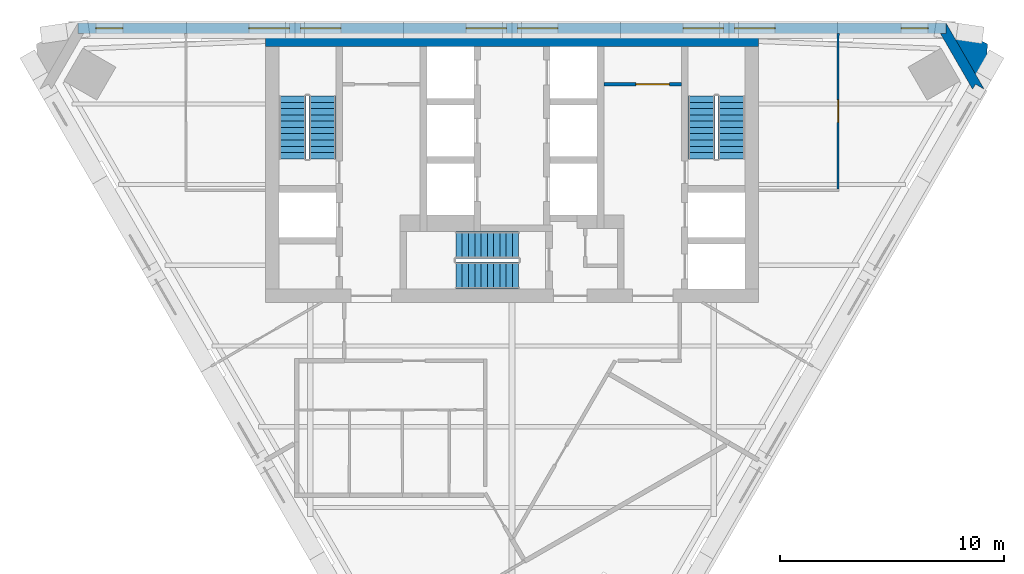
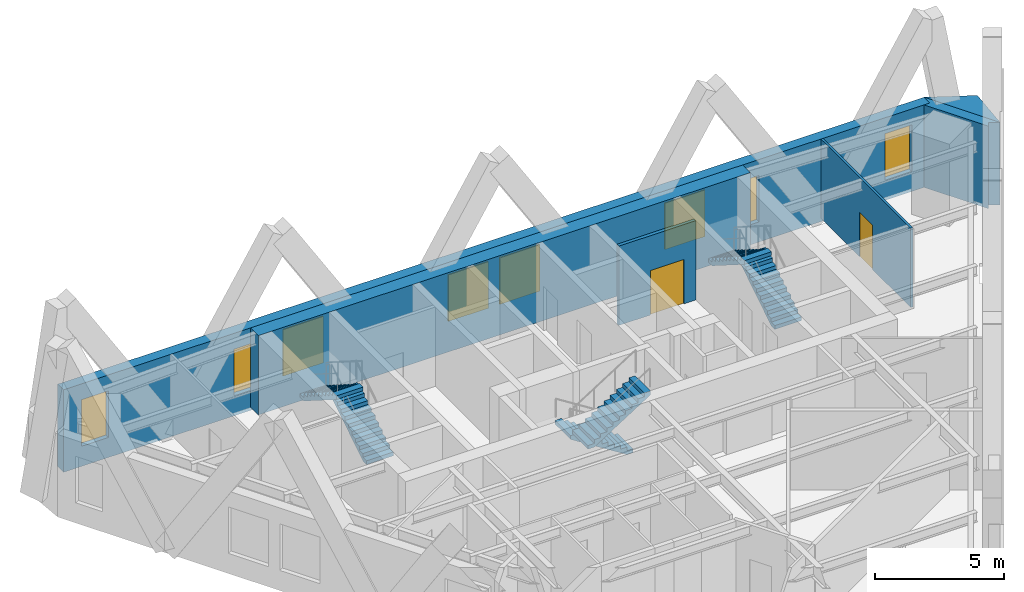
# One storey, part 7 of 10: 8 windows, 6 stair flights, 6 walls, 2 doors, 10 openings, 3 elements without a shape of their own.
"""IFC4 building model written with IfcOpenShell, lengths in metres."""

from ifc_helpers import new_model, si_unit, direction, frame, frame_2d, origin, place, context, subcontext, project, spatial, polyline, rectangle, outline, extrude, material, layer, layer_set, type_object, element, fill, aggregate, save


model = new_model("IFC4")

# Units and contexts
model_context = context("Model", 3, precision=1e-05, world=origin(), true_north=direction((0.0, 1.0)))
body_context = subcontext(model_context, "Body", "Model", "MODEL_VIEW")
ifc_project = project(units=[si_unit("LENGTHUNIT", "METRE"), si_unit("AREAUNIT", "SQUARE_METRE"), si_unit("VOLUMEUNIT", "CUBIC_METRE"), si_unit("PLANEANGLEUNIT", "RADIAN"), si_unit("MASSUNIT", "GRAM", prefix="KILO")], contexts=[model_context])

# Site, building, storey
site_placement = place(None, origin())
site = spatial("IfcSite", under=ifc_project, at=site_placement, CompositionType="ELEMENT")
building_placement = place(site_placement, origin())
building = spatial("IfcBuilding", under=site, at=building_placement, Name="Aloe Facet Convention Tower", CompositionType="ELEMENT")
storey_placement = place(building_placement, frame((0.0, 0.0, 219.199951171875)))
storey = spatial("IfcBuildingStorey", under=building, at=storey_placement, Name="L55", CompositionType="ELEMENT", Elevation=219.199951171875)

# Wall, opening, door
ifc_material_1 = material(Name="Concrete blockwork partition", Category="masonry")
ifc_layer_1 = layer(ifc_material_1, 0.14990234375)
ifc_layer_set_1 = layer_set([ifc_layer_1], Name="CR-W-PART150")
wall_type_1 = type_object("IfcWallType", Name="CR-W-PART150", PredefinedType="PARTITIONING", material=ifc_layer_set_1)
wall_1_placement = place(storey_placement, frame((84.10009765625, 132.27490234375, 0.0), z_axis=(0.0, 0.0, 1.0), x_axis=(1.0, 0.0, 0.0)))
wall_1 = element("IfcWall", 1, at=wall_1_placement, inside=storey, type_object=wall_type_1, Name="Core partition L55-025", PredefinedType="PARTITIONING", context=body_context, shape_type="SweptSolid", body=[
    extrude(rectangle(XDim=3.449951171875, YDim=0.14990234375, at=frame_2d((1.72509765625, 0.0))), origin(), (0.0, 0.0, 1.0), 3.75),
])
opening_1_placement = place(wall_1_placement, frame((1.425048828125, 0.0, 0.0)))
opening_1 = element("IfcOpeningElement", 2, at=opening_1_placement, cuts=wall_1, Name="Opening L55-CD13", PredefinedType="OPENING", context=body_context, shape_type="SweptSolid", body=[
    extrude(rectangle(XDim=1.5, YDim=2.10009765625, at=frame_2d((0.75, 1.050048828125))), frame((0.0, 0.0849609375, 0.0), z_axis=(0.0, -1.0, 0.0), x_axis=(1.0, 0.0, 0.0)), (0.0, 0.0, 1.0), 0.169921875),
])
ifc_material_2 = material(Name="Steel fire-resisting door set FD60", Category="steel")
door_type_1 = type_object("IfcDoorType", Name="CR-D-REFUGE-1500-FD60-DD", OperationType="DOUBLE_DOOR_DOUBLE_SWING", PredefinedType="DOOR", material=ifc_material_2)
door_1_placement = place(opening_1_placement, origin())
door_1 = element("IfcDoor", 3, at=door_1_placement, inside=storey, type_object=door_type_1, Name="Core door L55-CD13", OperationType="DOUBLE_DOOR_DOUBLE_SWING", OverallHeight=2.10009765625, OverallWidth=1.5, PredefinedType="DOOR", context=body_context, shape_type="SweptSolid", body=[
    extrude(rectangle(XDim=1.5, YDim=2.10009765625, at=frame_2d((0.75, 1.050048828125))), frame((0.0, 0.02490234375, 0.0), z_axis=(0.0, -1.0, 0.0), x_axis=(1.0, 0.0, 0.0)), (0.0, 0.0, 1.0), 0.050048828125),
])
fill(opening_1, door_1)

# Walls
ifc_material_3 = material(Name="Concrete C50/60", Category="concrete")
ifc_layer_2 = layer(ifc_material_3, 0.60009765625)
ifc_layer_set_2 = layer_set([ifc_layer_2], Name="CR-W-RC600-C5060")
wall_type_2 = type_object("IfcWallType", Name="CR-W-RC600-C5060", PredefinedType="SOLIDWALL", material=ifc_layer_set_2)
wall_2_placement = place(storey_placement, frame((69.0, 134.25, 0.0), z_axis=(0.0, 0.0, 1.0), x_axis=(1.0, 0.0, 0.0)))
element("IfcWall", 4, at=wall_2_placement, inside=storey, type_object=wall_type_2, Name="Core wall L55-001", PredefinedType="SOLIDWALL", context=body_context, shape_type="SweptSolid", body=[
    extrude(rectangle(XDim=22.0, YDim=0.60009765625, at=frame_2d((11.0, 0.0))), origin(), (0.0, 0.0, 1.0), 3.75),
])
ifc_material_4 = material(Name="Precast concrete C40/50", Category="concrete")
ifc_layer_3 = layer(ifc_material_4, 0.449951171875)
ifc_layer_set_3 = layer_set([ifc_layer_3], Name="EV-WALL-PIER")
wall_type_3 = type_object("IfcWallType", Name="EV-WALL-PIER", PredefinedType="SOLIDWALL", material=ifc_layer_set_3)
wall_3_placement = place(storey_placement, frame((0.0, 0.0, -0.14990234375)))
element("IfcWall", 5, at=wall_3_placement, inside=storey, type_object=wall_type_3, Name="EP-L55-C", PredefinedType="SOLIDWALL", context=body_context, shape_type="SweptSolid", body=[
    extrude(outline(polyline([(101.064697265625, 132.055419921875), (100.6748046875, 132.280517578125), (100.544921875, 132.055419921875), (99.104736328125, 134.550048828125), (99.364501953125, 134.550048828125), (99.364501953125, 135.0), (101.064697265625, 132.055419921875)])), origin(), (0.0, 0.0, 1.0), 3.89990234375),
])
ifc_material_5 = material(Name="Precast concrete C40/50", Category="concrete")
ifc_layer_4 = layer(ifc_material_5, 3.947998046875)
ifc_layer_set_4 = layer_set([ifc_layer_4], Name="EV-WALL-SPINE")
wall_type_4 = type_object("IfcWallType", Name="EV-WALL-SPINE", PredefinedType="SOLIDWALL", material=ifc_layer_set_4)
wall_4_placement = place(storey_placement, frame((0.0, 0.0, -0.14990234375)))
element("IfcWall", 6, at=wall_4_placement, inside=storey, type_object=wall_type_4, Name="SP-NE-L55", PredefinedType="SOLIDWALL", context=body_context, shape_type="SweptSolid", body=[
    extrude(outline(polyline([(101.064697265625, 132.055419921875), (101.214111328125, 134.07177734375), (99.364501953125, 135.0), (101.064697265625, 132.055419921875)])), origin(), (0.0, 0.0, 1.0), 3.89990234375),
])

# Wall, openings, windows
ifc_material_6 = material(Name="Precast concrete C40/50", Category="concrete")
ifc_layer_5 = layer(ifc_material_6, 0.449951171875)
ifc_layer_set_5 = layer_set([ifc_layer_5], Name="EV-WALL-STONE")
wall_type_5 = type_object("IfcWallType", Name="EV-WALL-STONE", PredefinedType="SOLIDWALL", material=ifc_layer_set_5)
wall_5_placement = place(storey_placement, frame((99.364501953125, 134.77490234375, -0.14990234375), z_axis=(0.0, 0.0, 1.0), x_axis=(-1.0, 0.0, 0.0)))
wall_5 = element("IfcWall", 7, at=wall_5_placement, inside=storey, type_object=wall_type_5, Name="EW-L55-N01", PredefinedType="SOLIDWALL", context=body_context, shape_type="SweptSolid", body=[
    extrude(outline(polyline([(38.729248046875, 0.0), (38.729248046875, 3.89990234375), (0.0, 3.89990234375), (0.0, 0.0), (38.729248046875, 0.0)])), frame((0.0, 0.22509765625, 0.0), z_axis=(0.0, -1.0, 0.0), x_axis=(1.0, 0.0, 0.0)), (0.0, 0.0, 1.0), 0.449951171875),
])
opening_2_placement = place(wall_5_placement, frame((0.80712890625, 0.0, 0.949951171875)))
opening_2 = element("IfcOpeningElement", 8, at=opening_2_placement, cuts=wall_5, Name="Opening W-L55-N01", PredefinedType="OPENING", context=body_context, shape_type="SweptSolid", body=[
    extrude(rectangle(XDim=1.199951171875, YDim=2.199951171875, at=frame_2d((0.60009765625, 1.10009765625))), frame((0.0, 0.23486328125, 0.0), z_axis=(0.0, -1.0, 0.0), x_axis=(1.0, 0.0, 0.0)), (0.0, 0.0, 1.0), 0.469970703125),
])
opening_3_placement = place(wall_5_placement, frame((7.63232421875, 0.0, 0.949951171875)))
opening_3 = element("IfcOpeningElement", 9, at=opening_3_placement, cuts=wall_5, Name="Opening W-L55-N02", PredefinedType="OPENING", context=body_context, shape_type="SweptSolid", body=[
    extrude(rectangle(XDim=1.800048828125, YDim=2.199951171875, at=frame_2d((0.89990234375, 1.10009765625))), frame((0.0, 0.23486328125, 0.0), z_axis=(0.0, -1.0, 0.0), x_axis=(1.0, 0.0, 0.0)), (0.0, 0.0, 1.0), 0.469970703125),
])
opening_4_placement = place(wall_5_placement, frame((9.932373046875, 0.0, 0.949951171875)))
opening_4 = element("IfcOpeningElement", 10, at=opening_4_placement, cuts=wall_5, Name="Opening W-L55-N03", PredefinedType="OPENING", context=body_context, shape_type="SweptSolid", body=[
    extrude(rectangle(XDim=1.800048828125, YDim=2.199951171875, at=frame_2d((0.89990234375, 1.10009765625))), frame((0.0, 0.23486328125, 0.0), z_axis=(0.0, -1.0, 0.0), x_axis=(1.0, 0.0, 0.0)), (0.0, 0.0, 1.0), 0.469970703125),
])
opening_5_placement = place(wall_5_placement, frame((17.314697265625, 0.0, 0.949951171875)))
opening_5 = element("IfcOpeningElement", 11, at=opening_5_placement, cuts=wall_5, Name="Opening W-L55-N04", PredefinedType="OPENING", context=body_context, shape_type="SweptSolid", body=[
    extrude(rectangle(XDim=1.800048828125, YDim=2.199951171875, at=frame_2d((0.89990234375, 1.10009765625))), frame((0.0, 0.23486328125, 0.0), z_axis=(0.0, -1.0, 0.0), x_axis=(1.0, 0.0, 0.0)), (0.0, 0.0, 1.0), 0.469970703125),
])
opening_6_placement = place(wall_5_placement, frame((19.614501953125, 0.0, 0.949951171875)))
opening_6 = element("IfcOpeningElement", 12, at=opening_6_placement, cuts=wall_5, Name="Opening W-L55-N05", PredefinedType="OPENING", context=body_context, shape_type="SweptSolid", body=[
    extrude(rectangle(XDim=1.800048828125, YDim=2.199951171875, at=frame_2d((0.89990234375, 1.10009765625))), frame((0.0, 0.23486328125, 0.0), z_axis=(0.0, -1.0, 0.0), x_axis=(1.0, 0.0, 0.0)), (0.0, 0.0, 1.0), 0.469970703125),
])
opening_7_placement = place(wall_5_placement, frame((26.996826171875, 0.0, 0.949951171875)))
opening_7 = element("IfcOpeningElement", 13, at=opening_7_placement, cuts=wall_5, Name="Opening W-L55-N06", PredefinedType="OPENING", context=body_context, shape_type="SweptSolid", body=[
    extrude(rectangle(XDim=1.800048828125, YDim=2.199951171875, at=frame_2d((0.89990234375, 1.10009765625))), frame((0.0, 0.23486328125, 0.0), z_axis=(0.0, -1.0, 0.0), x_axis=(1.0, 0.0, 0.0)), (0.0, 0.0, 1.0), 0.469970703125),
])
opening_8_placement = place(wall_5_placement, frame((29.296875, 0.0, 0.949951171875)))
opening_8 = element("IfcOpeningElement", 14, at=opening_8_placement, cuts=wall_5, Name="Opening W-L55-N07", PredefinedType="OPENING", context=body_context, shape_type="SweptSolid", body=[
    extrude(rectangle(XDim=1.800048828125, YDim=2.199951171875, at=frame_2d((0.89990234375, 1.10009765625))), frame((0.0, 0.23486328125, 0.0), z_axis=(0.0, -1.0, 0.0), x_axis=(1.0, 0.0, 0.0)), (0.0, 0.0, 1.0), 0.469970703125),
])
opening_9_placement = place(wall_5_placement, frame((36.72216796875, 0.0, 0.949951171875)))
opening_9 = element("IfcOpeningElement", 15, at=opening_9_placement, cuts=wall_5, Name="Opening W-L55-N08", PredefinedType="OPENING", context=body_context, shape_type="SweptSolid", body=[
    extrude(rectangle(XDim=1.199951171875, YDim=2.199951171875, at=frame_2d((0.60009765625, 1.10009765625))), frame((0.0, 0.23486328125, 0.0), z_axis=(0.0, -1.0, 0.0), x_axis=(1.0, 0.0, 0.0)), (0.0, 0.0, 1.0), 0.469970703125),
])
ifc_material_7 = material(Name="Aluminium frame, clear double glazing", Category="aluminium")
window_type_1 = type_object("IfcWindowType", Name="EV-WIN-O12", PartitioningType="SINGLE_PANEL", PredefinedType="WINDOW", material=ifc_material_7)
window_1_placement = place(opening_2_placement, origin())
window_1 = element("IfcWindow", 16, at=window_1_placement, inside=storey, type_object=window_type_1, Name="W-L55-N01", OverallHeight=2.199951171875, OverallWidth=1.199951171875, PartitioningType="SINGLE_PANEL", PredefinedType="WINDOW", context=body_context, shape_type="SweptSolid", body=[
    extrude(rectangle(XDim=1.199951171875, YDim=2.199951171875, at=frame_2d((0.60009765625, 1.10009765625))), frame((0.0, 0.030029296875, 0.0), z_axis=(0.0, -1.0, 0.0), x_axis=(1.0, 0.0, 0.0)), (0.0, 0.0, 1.0), 0.06005859375),
])
fill(opening_2, window_1)
window_2_placement = place(opening_9_placement, origin())
window_2 = element("IfcWindow", 17, at=window_2_placement, inside=storey, type_object=window_type_1, Name="W-L55-N08", OverallHeight=2.199951171875, OverallWidth=1.199951171875, PartitioningType="SINGLE_PANEL", PredefinedType="WINDOW", context=body_context, shape_type="SweptSolid", body=[
    extrude(rectangle(XDim=1.199951171875, YDim=2.199951171875, at=frame_2d((0.60009765625, 1.10009765625))), frame((0.0, 0.030029296875, 0.0), z_axis=(0.0, -1.0, 0.0), x_axis=(1.0, 0.0, 0.0)), (0.0, 0.0, 1.0), 0.06005859375),
])
fill(opening_9, window_2)
ifc_material_8 = material(Name="Aluminium frame, clear double glazing", Category="aluminium")
window_type_2 = type_object("IfcWindowType", Name="EV-WIN-O18", PartitioningType="SINGLE_PANEL", PredefinedType="WINDOW", material=ifc_material_8)
window_3_placement = place(opening_3_placement, origin())
window_3 = element("IfcWindow", 18, at=window_3_placement, inside=storey, type_object=window_type_2, Name="W-L55-N02", OverallHeight=2.199951171875, OverallWidth=1.800048828125, PartitioningType="SINGLE_PANEL", PredefinedType="WINDOW", context=body_context, shape_type="SweptSolid", body=[
    extrude(rectangle(XDim=1.800048828125, YDim=2.199951171875, at=frame_2d((0.89990234375, 1.10009765625))), frame((0.0, 0.030029296875, 0.0), z_axis=(0.0, -1.0, 0.0), x_axis=(1.0, 0.0, 0.0)), (0.0, 0.0, 1.0), 0.06005859375),
])
fill(opening_3, window_3)
window_4_placement = place(opening_4_placement, origin())
window_4 = element("IfcWindow", 19, at=window_4_placement, inside=storey, type_object=window_type_2, Name="W-L55-N03", OverallHeight=2.199951171875, OverallWidth=1.800048828125, PartitioningType="SINGLE_PANEL", PredefinedType="WINDOW", context=body_context, shape_type="SweptSolid", body=[
    extrude(rectangle(XDim=1.800048828125, YDim=2.199951171875, at=frame_2d((0.89990234375, 1.10009765625))), frame((0.0, 0.030029296875, 0.0), z_axis=(0.0, -1.0, 0.0), x_axis=(1.0, 0.0, 0.0)), (0.0, 0.0, 1.0), 0.06005859375),
])
fill(opening_4, window_4)
window_5_placement = place(opening_5_placement, origin())
window_5 = element("IfcWindow", 20, at=window_5_placement, inside=storey, type_object=window_type_2, Name="W-L55-N04", OverallHeight=2.199951171875, OverallWidth=1.800048828125, PartitioningType="SINGLE_PANEL", PredefinedType="WINDOW", context=body_context, shape_type="SweptSolid", body=[
    extrude(rectangle(XDim=1.800048828125, YDim=2.199951171875, at=frame_2d((0.89990234375, 1.10009765625))), frame((0.0, 0.030029296875, 0.0), z_axis=(0.0, -1.0, 0.0), x_axis=(1.0, 0.0, 0.0)), (0.0, 0.0, 1.0), 0.06005859375),
])
fill(opening_5, window_5)
window_6_placement = place(opening_6_placement, origin())
window_6 = element("IfcWindow", 21, at=window_6_placement, inside=storey, type_object=window_type_2, Name="W-L55-N05", OverallHeight=2.199951171875, OverallWidth=1.800048828125, PartitioningType="SINGLE_PANEL", PredefinedType="WINDOW", context=body_context, shape_type="SweptSolid", body=[
    extrude(rectangle(XDim=1.800048828125, YDim=2.199951171875, at=frame_2d((0.89990234375, 1.10009765625))), frame((0.0, 0.030029296875, 0.0), z_axis=(0.0, -1.0, 0.0), x_axis=(1.0, 0.0, 0.0)), (0.0, 0.0, 1.0), 0.06005859375),
])
fill(opening_6, window_6)
window_7_placement = place(opening_7_placement, origin())
window_7 = element("IfcWindow", 22, at=window_7_placement, inside=storey, type_object=window_type_2, Name="W-L55-N06", OverallHeight=2.199951171875, OverallWidth=1.800048828125, PartitioningType="SINGLE_PANEL", PredefinedType="WINDOW", context=body_context, shape_type="SweptSolid", body=[
    extrude(rectangle(XDim=1.800048828125, YDim=2.199951171875, at=frame_2d((0.89990234375, 1.10009765625))), frame((0.0, 0.030029296875, 0.0), z_axis=(0.0, -1.0, 0.0), x_axis=(1.0, 0.0, 0.0)), (0.0, 0.0, 1.0), 0.06005859375),
])
fill(opening_7, window_7)
window_8_placement = place(opening_8_placement, origin())
window_8 = element("IfcWindow", 23, at=window_8_placement, inside=storey, type_object=window_type_2, Name="W-L55-N07", OverallHeight=2.199951171875, OverallWidth=1.800048828125, PartitioningType="SINGLE_PANEL", PredefinedType="WINDOW", context=body_context, shape_type="SweptSolid", body=[
    extrude(rectangle(XDim=1.800048828125, YDim=2.199951171875, at=frame_2d((0.89990234375, 1.10009765625))), frame((0.0, 0.030029296875, 0.0), z_axis=(0.0, -1.0, 0.0), x_axis=(1.0, 0.0, 0.0)), (0.0, 0.0, 1.0), 0.06005859375),
])
fill(opening_8, window_8)

# Wall, opening, door
ifc_material_9 = material(Name="Gypsum board partition on steel studs", Category="steel")
ifc_layer_6 = layer(ifc_material_9, 0.10009765625)
ifc_layer_set_6 = layer_set([ifc_layer_6], Name="IN-W-PART")
wall_type_6 = type_object("IfcWallType", Name="IN-W-PART", PredefinedType="PARTITIONING", material=ifc_layer_set_6)
wall_6_placement = place(storey_placement, frame((94.54443359375, 127.60009765625, 0.0), z_axis=(0.0, 0.0, 1.0), x_axis=(0.000491814737, 0.999999879059, 0.0)))
wall_6 = element("IfcWall", 24, at=wall_6_placement, inside=storey, type_object=wall_type_6, Name="Partition L55-W037", PredefinedType="PARTITIONING", context=body_context, shape_type="SweptSolid", body=[
    extrude(rectangle(XDim=6.94970703125, YDim=0.10009765625, at=frame_2d((3.474853515625, 0.0))), origin(), (0.0, 0.0, 1.0), 3.75),
])
opening_10_placement = place(wall_6_placement, frame((2.974853515625, 0.0, 0.0)))
opening_10 = element("IfcOpeningElement", 25, at=opening_10_placement, cuts=wall_6, Name="Opening L55-006", PredefinedType="OPENING", context=body_context, shape_type="SweptSolid", body=[
    extrude(rectangle(XDim=1.0, YDim=2.10009765625, at=frame_2d((0.5, 1.050048828125))), frame((0.0, 0.06005859375, 0.0), z_axis=(0.0, -1.0, 0.0), x_axis=(1.0, 0.0, 0.0)), (0.0, 0.0, 1.0), 0.1201171875),
])
ifc_material_10 = material(Name="Timber door", Category="wood")
door_type_2 = type_object("IfcDoorType", Name="IN-OFF-D-WIDE", OperationType="SINGLE_SWING_LEFT", PredefinedType="DOOR", material=ifc_material_10)
door_2_placement = place(opening_10_placement, origin())
door_2 = element("IfcDoor", 26, at=door_2_placement, inside=storey, type_object=door_type_2, Name="Door L55-006", OperationType="SINGLE_SWING_LEFT", OverallHeight=2.10009765625, OverallWidth=1.0, PredefinedType="DOOR", context=body_context, shape_type="SweptSolid", body=[
    extrude(rectangle(XDim=1.0, YDim=2.10009765625, at=frame_2d((0.5, 1.050048828125))), frame((0.0, 0.02490234375, 0.0), z_axis=(0.0, -1.0, 0.0), x_axis=(1.0, 0.0, 0.0)), (0.0, 0.0, 1.0), 0.050048828125),
])
fill(opening_10, door_2)

# Stair, stair flights
ifc_material_11 = material(Name="Concrete C50/60", Category="concrete")
stair_type = type_object("IfcStairType", Name="CR-ST-22R", PredefinedType="HALF_TURN_STAIR", material=ifc_material_11)
stair_1_placement = place(storey_placement, origin())
stair_1 = element("IfcStair", 27, at=stair_1_placement, inside=storey, type_object=stair_type, Name="L55 Protected exit stair ST1", PredefinedType="HALF_TURN_STAIR")
ifc_material_12 = material(Name="Concrete C50/60", Category="concrete")
stair_flight_type = type_object("IfcStairFlightType", Name="CR-SFL-22R", PredefinedType="STRAIGHT", material=ifc_material_12)
stair_flight_1_placement = place(storey_placement, frame((71.550048828125, 128.949951171875, 0.0), z_axis=(0.0, 0.0, 1.0), x_axis=(0.0, 1.0, 0.0)))
stair_flight_1 = element("IfcStairFlight", 28, at=stair_flight_1_placement, type_object=stair_flight_type, Name="ST1 flight 1", NumberOfRisers=11, NumberOfTreads=10, PredefinedType="STRAIGHT", RiserHeight=0.177272727, TreadLength=0.28, context=body_context, shape_type="SweptSolid", body=[
    extrude(outline(polyline([(0.0, 0.0), (0.0, 0.17724609375), (0.280029296875, 0.17724609375), (0.280029296875, 0.3544921875), (0.56005859375, 0.3544921875), (0.56005859375, 0.53173828125), (0.840087890625, 0.53173828125), (0.840087890625, 0.708984375), (1.1201171875, 0.708984375), (1.1201171875, 0.886474609375), (1.39990234375, 0.886474609375), (1.39990234375, 1.063720703125), (1.679931640625, 1.063720703125), (1.679931640625, 1.240966796875), (1.9599609375, 1.240966796875), (1.9599609375, 1.418212890625), (2.239990234375, 1.418212890625), (2.239990234375, 1.595458984375), (2.52001953125, 1.595458984375), (2.52001953125, 1.772705078125), (2.800048828125, 1.772705078125), (2.800048828125, 1.949951171875), (2.800048828125, 1.59521484375), (0.2802734375, 0.0), (0.0, 0.0)])), frame((0.0, 0.60009765625, 0.0), z_axis=(0.0, -1.0, 0.0), x_axis=(1.0, 0.0, 0.0)), (0.0, 0.0, 1.0), 1.199951171875),
])
stair_flight_2_placement = place(storey_placement, frame((70.199951171875, 131.75, 1.949951171875), z_axis=(0.0, 0.0, 1.0), x_axis=(0.0, -1.0, 0.0)))
stair_flight_2 = element("IfcStairFlight", 29, at=stair_flight_2_placement, type_object=stair_flight_type, Name="ST1 flight 2", NumberOfRisers=11, NumberOfTreads=10, PredefinedType="STRAIGHT", RiserHeight=0.177272727, TreadLength=0.28, context=body_context, shape_type="SweptSolid", body=[
    extrude(outline(polyline([(0.0, 0.0), (0.0, 0.17724609375), (0.280029296875, 0.17724609375), (0.280029296875, 0.3544921875), (0.56005859375, 0.3544921875), (0.56005859375, 0.53173828125), (0.840087890625, 0.53173828125), (0.840087890625, 0.708984375), (1.1201171875, 0.708984375), (1.1201171875, 0.886474609375), (1.39990234375, 0.886474609375), (1.39990234375, 1.063720703125), (1.679931640625, 1.063720703125), (1.679931640625, 1.240966796875), (1.9599609375, 1.240966796875), (1.9599609375, 1.418212890625), (2.239990234375, 1.418212890625), (2.239990234375, 1.595458984375), (2.52001953125, 1.595458984375), (2.52001953125, 1.772705078125), (2.800048828125, 1.772705078125), (2.800048828125, 1.949951171875), (2.800048828125, 1.59521484375), (0.2802734375, 0.0), (0.0, 0.0)])), frame((0.0, 0.60009765625, 0.0), z_axis=(0.0, -1.0, 0.0), x_axis=(1.0, 0.0, 0.0)), (0.0, 0.0, 1.0), 1.199951171875),
])
aggregate(stair_1, [stair_flight_1, stair_flight_2])

stair_2_placement = place(storey_placement, origin())
stair_2 = element("IfcStair", 30, at=stair_2_placement, inside=storey, type_object=stair_type, Name="L55 Protected exit stair ST2", PredefinedType="HALF_TURN_STAIR")
stair_flight_3_placement = place(storey_placement, frame((89.800048828125, 128.949951171875, 0.0), z_axis=(0.0, 0.0, 1.0), x_axis=(0.0, 1.0, 0.0)))
stair_flight_3 = element("IfcStairFlight", 31, at=stair_flight_3_placement, type_object=stair_flight_type, Name="ST2 flight 1", NumberOfRisers=11, NumberOfTreads=10, PredefinedType="STRAIGHT", RiserHeight=0.177272727, TreadLength=0.28, context=body_context, shape_type="SweptSolid", body=[
    extrude(outline(polyline([(0.0, 0.0), (0.0, 0.17724609375), (0.280029296875, 0.17724609375), (0.280029296875, 0.3544921875), (0.56005859375, 0.3544921875), (0.56005859375, 0.53173828125), (0.840087890625, 0.53173828125), (0.840087890625, 0.708984375), (1.1201171875, 0.708984375), (1.1201171875, 0.886474609375), (1.39990234375, 0.886474609375), (1.39990234375, 1.063720703125), (1.679931640625, 1.063720703125), (1.679931640625, 1.240966796875), (1.9599609375, 1.240966796875), (1.9599609375, 1.418212890625), (2.239990234375, 1.418212890625), (2.239990234375, 1.595458984375), (2.52001953125, 1.595458984375), (2.52001953125, 1.772705078125), (2.800048828125, 1.772705078125), (2.800048828125, 1.949951171875), (2.800048828125, 1.59521484375), (0.2802734375, 0.0), (0.0, 0.0)])), frame((0.0, 0.60009765625, 0.0), z_axis=(0.0, -1.0, 0.0), x_axis=(1.0, 0.0, 0.0)), (0.0, 0.0, 1.0), 1.199951171875),
])
stair_flight_4_placement = place(storey_placement, frame((88.449951171875, 131.75, 1.949951171875), z_axis=(0.0, 0.0, 1.0), x_axis=(0.0, -1.0, 0.0)))
stair_flight_4 = element("IfcStairFlight", 32, at=stair_flight_4_placement, type_object=stair_flight_type, Name="ST2 flight 2", NumberOfRisers=11, NumberOfTreads=10, PredefinedType="STRAIGHT", RiserHeight=0.177272727, TreadLength=0.28, context=body_context, shape_type="SweptSolid", body=[
    extrude(outline(polyline([(0.0, 0.0), (0.0, 0.17724609375), (0.280029296875, 0.17724609375), (0.280029296875, 0.3544921875), (0.56005859375, 0.3544921875), (0.56005859375, 0.53173828125), (0.840087890625, 0.53173828125), (0.840087890625, 0.708984375), (1.1201171875, 0.708984375), (1.1201171875, 0.886474609375), (1.39990234375, 0.886474609375), (1.39990234375, 1.063720703125), (1.679931640625, 1.063720703125), (1.679931640625, 1.240966796875), (1.9599609375, 1.240966796875), (1.9599609375, 1.418212890625), (2.239990234375, 1.418212890625), (2.239990234375, 1.595458984375), (2.52001953125, 1.595458984375), (2.52001953125, 1.772705078125), (2.800048828125, 1.772705078125), (2.800048828125, 1.949951171875), (2.800048828125, 1.59521484375), (0.2802734375, 0.0), (0.0, 0.0)])), frame((0.0, 0.60009765625, 0.0), z_axis=(0.0, -1.0, 0.0), x_axis=(1.0, 0.0, 0.0)), (0.0, 0.0, 1.0), 1.199951171875),
])
aggregate(stair_2, [stair_flight_3, stair_flight_4])

stair_3_placement = place(storey_placement, origin())
stair_3 = element("IfcStair", 33, at=stair_3_placement, inside=storey, type_object=stair_type, Name="L55 Protected exit stair ST3", PredefinedType="HALF_TURN_STAIR")
stair_flight_5_placement = place(storey_placement, frame((80.300048828125, 125.10009765625, 0.0), z_axis=(0.0, 0.0, 1.0), x_axis=(-1.0, 0.0, 0.0)))
stair_flight_5 = element("IfcStairFlight", 34, at=stair_flight_5_placement, type_object=stair_flight_type, Name="ST3 flight 1", NumberOfRisers=11, NumberOfTreads=10, PredefinedType="STRAIGHT", RiserHeight=0.177272727, TreadLength=0.28, context=body_context, shape_type="SweptSolid", body=[
    extrude(outline(polyline([(0.0, 0.0), (0.0, 0.17724609375), (0.280029296875, 0.17724609375), (0.280029296875, 0.3544921875), (0.56005859375, 0.3544921875), (0.56005859375, 0.53173828125), (0.840087890625, 0.53173828125), (0.840087890625, 0.708984375), (1.1201171875, 0.708984375), (1.1201171875, 0.886474609375), (1.39990234375, 0.886474609375), (1.39990234375, 1.063720703125), (1.679931640625, 1.063720703125), (1.679931640625, 1.240966796875), (1.9599609375, 1.240966796875), (1.9599609375, 1.418212890625), (2.239990234375, 1.418212890625), (2.239990234375, 1.595458984375), (2.52001953125, 1.595458984375), (2.52001953125, 1.772705078125), (2.800048828125, 1.772705078125), (2.800048828125, 1.949951171875), (2.800048828125, 1.59521484375), (0.2802734375, 0.0), (0.0, 0.0)])), frame((0.0, 0.60009765625, 0.0), z_axis=(0.0, -1.0, 0.0), x_axis=(1.0, 0.0, 0.0)), (0.0, 0.0, 1.0), 1.199951171875),
])
stair_flight_6_placement = place(storey_placement, frame((77.5, 123.75, 1.949951171875), z_axis=(0.0, 0.0, 1.0), x_axis=(1.0, 0.0, 0.0)))
stair_flight_6 = element("IfcStairFlight", 35, at=stair_flight_6_placement, type_object=stair_flight_type, Name="ST3 flight 2", NumberOfRisers=11, NumberOfTreads=10, PredefinedType="STRAIGHT", RiserHeight=0.177272727, TreadLength=0.28, context=body_context, shape_type="SweptSolid", body=[
    extrude(outline(polyline([(0.0, 0.0), (0.0, 0.17724609375), (0.280029296875, 0.17724609375), (0.280029296875, 0.3544921875), (0.56005859375, 0.3544921875), (0.56005859375, 0.53173828125), (0.840087890625, 0.53173828125), (0.840087890625, 0.708984375), (1.1201171875, 0.708984375), (1.1201171875, 0.886474609375), (1.39990234375, 0.886474609375), (1.39990234375, 1.063720703125), (1.679931640625, 1.063720703125), (1.679931640625, 1.240966796875), (1.9599609375, 1.240966796875), (1.9599609375, 1.418212890625), (2.239990234375, 1.418212890625), (2.239990234375, 1.595458984375), (2.52001953125, 1.595458984375), (2.52001953125, 1.772705078125), (2.800048828125, 1.772705078125), (2.800048828125, 1.949951171875), (2.800048828125, 1.59521484375), (0.2802734375, 0.0), (0.0, 0.0)])), frame((0.0, 0.60009765625, 0.0), z_axis=(0.0, -1.0, 0.0), x_axis=(1.0, 0.0, 0.0)), (0.0, 0.0, 1.0), 1.199951171875),
])
aggregate(stair_3, [stair_flight_5, stair_flight_6])

save(model, "model.ifc")
